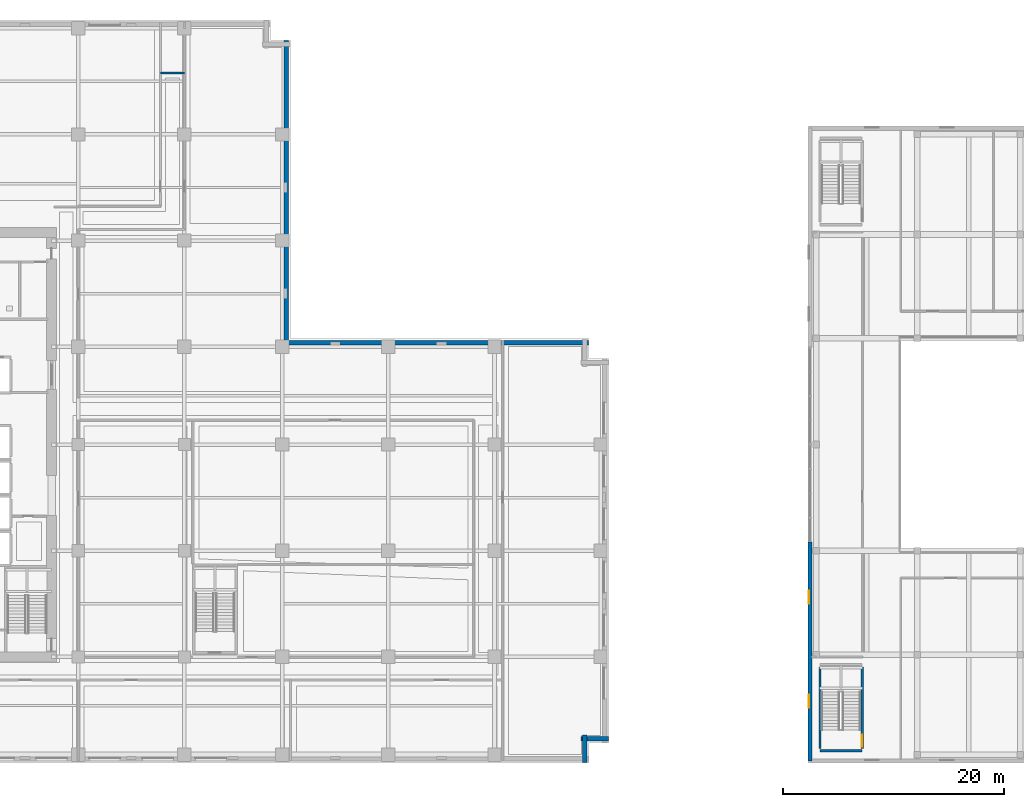
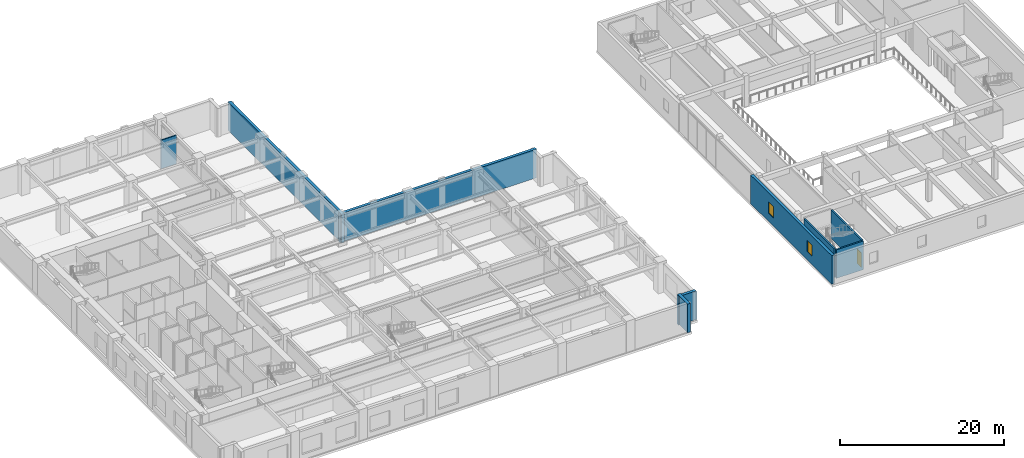
# One storey, part 8 of 24: 9 walls, 2 windows, 1 door, 3 openings.
"""IFC4 building model written with IfcOpenShell, lengths in metres."""

from ifc_helpers import new_model, si_unit, direction, frame, frame_2d, origin, place, context, subcontext, project, spatial, rectangle, extrude, material, layer, layer_set, type_object, element, fill, save


model = new_model("IFC4")

# Units and contexts
model_context = context("Model", 3, precision=1e-05, world=origin(), true_north=direction((0.0, 1.0)))
body_context = subcontext(model_context, "Body", "Model", "MODEL_VIEW")
ifc_project = project(units=[si_unit("LENGTHUNIT", "METRE"), si_unit("AREAUNIT", "SQUARE_METRE"), si_unit("VOLUMEUNIT", "CUBIC_METRE"), si_unit("PLANEANGLEUNIT", "RADIAN"), si_unit("MASSUNIT", "GRAM", prefix="KILO")], contexts=[model_context])

# Site, building, storey
site_placement = place(None, origin())
site = spatial("IfcSite", under=ifc_project, at=site_placement, CompositionType="ELEMENT")
building_placement = place(site_placement, origin())
building = spatial("IfcBuilding", under=site, at=building_placement, Name="Norrvale University Quadrangle", CompositionType="ELEMENT")
storey_placement = place(building_placement, frame((0.0, 0.0, 15.0)))
storey = spatial("IfcBuildingStorey", under=building, at=storey_placement, Name="L03", CompositionType="ELEMENT", Elevation=15.0)

# Wall
ifc_material_1 = material(Name="Fire-Rated Gypsum Stud Partition")
ifc_layer_1 = layer(ifc_material_1, 0.14990234375, Name="Fire-Rated Gypsum Stud Partition")
ifc_layer_set_1 = layer_set([ifc_layer_1], Name="Fire-Rated Gypsum Stud Partition")
wall_type_1 = type_object("IfcWallType", Name="Wall Gypsum Corridor 150", PredefinedType="PARTITIONING", material=ifc_layer_set_1)
wall_1_placement = place(storey_placement, frame((26.64990234375, 62.39990234375, 0.0), z_axis=(0.0, 0.0, 1.0), x_axis=(1.0, 0.0, 0.0)))
element("IfcWall", 1, at=wall_1_placement, inside=storey, type_object=wall_type_1, Name="Interior Partition WL-L03-JOGEND", PredefinedType="PARTITIONING", context=body_context, shape_type="SweptSolid", body=[
    extrude(rectangle(XDim=2.150146484375, YDim=0.14990234375, at=frame_2d((1.0751953125, 0.0))), origin(), (0.0, 0.0, 1.0), 4.260009765625),
])

# Wall, openings, windows
ifc_material_2 = material(Name="Buff Norman Clay Brick Masonry", Category="masonry")
ifc_layer_2 = layer(ifc_material_2, 0.3798828125, Name="Buff Norman Clay Brick Masonry")
ifc_layer_set_2 = layer_set([ifc_layer_2], Name="Buff Norman Clay Brick Masonry")
wall_type_2 = type_object("IfcWallType", Name="Wall Lib Brick 380", PredefinedType="SOLIDWALL", material=ifc_layer_set_2)
wall_2_placement = place(storey_placement, frame((85.389892578125, 0.18994140625, 0.0), z_axis=(0.0, 0.0, 1.0), x_axis=(0.0, 1.0, 0.0)))
wall_2 = element("IfcWall", 2, at=wall_2_placement, inside=storey, type_object=wall_type_2, Name="Library West Brick Wall South L03", PredefinedType="SOLIDWALL", context=body_context, shape_type="SweptSolid", body=[
    extrude(rectangle(XDim=19.81005859375, YDim=0.3798828125, at=frame_2d((9.905029296875, 0.0))), origin(), (0.0, 0.0, 1.0), 4.25),
])
opening_1_placement = place(wall_2_placement, frame((4.800048828125, 0.0, 1.25)))
opening_1 = element("IfcOpeningElement", 3, at=opening_1_placement, cuts=wall_2, Name="Opening W07", PredefinedType="OPENING", context=body_context, shape_type="SweptSolid", body=[
    extrude(rectangle(XDim=1.199951171875, YDim=1.64990234375, at=frame_2d((0.60009765625, 0.824951171875))), frame((0.0, 0.201904296875, 0.0), z_axis=(0.0, -1.0, 0.0), x_axis=(1.0, 0.0, 0.0)), (0.0, 0.0, 1.0), 0.40380859375),
])
opening_2_placement = place(wall_2_placement, frame((14.199951171875, 0.0, 1.25)))
opening_2 = element("IfcOpeningElement", 4, at=opening_2_placement, cuts=wall_2, Name="Opening W07", PredefinedType="OPENING", context=body_context, shape_type="SweptSolid", body=[
    extrude(rectangle(XDim=1.199951171875, YDim=1.64990234375, at=frame_2d((0.60009765625, 0.824951171875))), frame((0.0, 0.201904296875, 0.0), z_axis=(0.0, -1.0, 0.0), x_axis=(1.0, 0.0, 0.0)), (0.0, 0.0, 1.0), 0.40380859375),
])
ifc_material_3 = material(Name="UV-Filtered Triple Glazing", Category="glass")
window_type = type_object("IfcWindowType", Name="Window Library Stack 1200x1800", PartitioningType="SINGLE_PANEL", PredefinedType="WINDOW", material=ifc_material_3)
window_1_placement = place(opening_1_placement, origin())
window_1 = element("IfcWindow", 5, at=window_1_placement, inside=storey, type_object=window_type, Name="Window Library Stack 1200x1800 WIN-L03-LW1-1", OverallHeight=1.64990234375, OverallWidth=1.199951171875, PartitioningType="SINGLE_PANEL", PredefinedType="WINDOW", context=body_context, shape_type="SweptSolid", body=[
    extrude(rectangle(XDim=1.199951171875, YDim=1.64990234375, at=frame_2d((0.60009765625, 0.824951171875))), frame((0.0, 0.110107421875, 0.0), z_axis=(0.0, -1.0, 0.0), x_axis=(1.0, 0.0, 0.0)), (0.0, 0.0, 1.0), 0.06005859375),
])
fill(opening_1, window_1)
window_2_placement = place(opening_2_placement, origin())
window_2 = element("IfcWindow", 6, at=window_2_placement, inside=storey, type_object=window_type, Name="Window Library Stack 1200x1800 WIN-L03-LW1-2", OverallHeight=1.64990234375, OverallWidth=1.199951171875, PartitioningType="SINGLE_PANEL", PredefinedType="WINDOW", context=body_context, shape_type="SweptSolid", body=[
    extrude(rectangle(XDim=1.199951171875, YDim=1.64990234375, at=frame_2d((0.60009765625, 0.824951171875))), frame((0.0, 0.110107421875, 0.0), z_axis=(0.0, -1.0, 0.0), x_axis=(1.0, 0.0, 0.0)), (0.0, 0.0, 1.0), 0.06005859375),
])
fill(opening_2, window_2)

# Walls
ifc_material_4 = material(Name="Red Manganese Brick Masonry", Category="masonry")
ifc_layer_3 = layer(ifc_material_4, 0.39990234375, Name="Red Manganese Brick Masonry")
ifc_layer_set_3 = layer_set([ifc_layer_3], Name="Red Manganese Brick Masonry")
wall_type_3 = type_object("IfcWallType", Name="Wall Red Brick 400", PredefinedType="SOLIDWALL", material=ifc_layer_set_3)
for number, where, z_axis, x_axis, name in (
    (7, (65.02001953125, 0.0400390625, 0.0), (0.0, 0.0, 1.0), (0.0, 1.0, 0.0), "Exterior Brick Facade Wall L03-02.1"),
    (8, (64.679931640625, 2.179931640625, 0.0), (0.0, 0.0, 1.0), (1.0, 0.0, 0.0), "Exterior Brick Facade Wall L03-03.1"),
):
    element("IfcWall", number, at=place(storey_placement, frame(where, z_axis=z_axis, x_axis=x_axis)), inside=storey, type_object=wall_type_3, Name=name, PredefinedType="SOLIDWALL", context=body_context, shape_type="SweptSolid", body=[
        extrude(rectangle(XDim=2.47998046875, YDim=0.39990234375, at=frame_2d((1.239990234375, 0.0))), origin(), (0.0, 0.0, 1.0), 4.260009765625),
    ])
for number, where, z_axis, x_axis, name in (
    (9, (65.360107421875, 38.02001953125, 0.0), (0.0, 0.0, 1.0), (-1.0, 0.0, 0.0), "Exterior Brick Facade Wall L03-07.1"),
    (10, (38.02001953125, 37.679931640625, 0.0), (0.0, 0.0, 1.0), (0.0, 1.0, 0.0), "Exterior Brick Facade Wall L03-08.1"),
):
    element("IfcWall", number, at=place(storey_placement, frame(where, z_axis=z_axis, x_axis=x_axis)), inside=storey, type_object=wall_type_3, Name=name, PredefinedType="SOLIDWALL", context=body_context, shape_type="SweptSolid", body=[
        extrude(rectangle(XDim=27.68017578125, YDim=0.39990234375, at=frame_2d((13.840087890625, 0.0))), origin(), (0.0, 0.0, 1.0), 4.260009765625),
    ])
ifc_material_5 = material(Name="Concrete Blockwork 20 MPa Fire Shaft", Category="masonry")
ifc_layer_4 = layer(ifc_material_5, 0.219970703125, Name="Concrete Blockwork 20 MPa Fire Shaft")
ifc_layer_set_4 = layer_set([ifc_layer_4], Name="Concrete Blockwork 20 MPa Fire Shaft")
wall_type_4 = type_object("IfcWallType", Name="Wall Shaft 220", PredefinedType="SOLIDWALL", material=ifc_layer_set_4)
wall_3_placement = place(storey_placement, frame((86.2900390625, 1.31005859375, 0.0), z_axis=(0.0, 0.0, 1.0), x_axis=(0.0, 1.0, 0.0)))
element("IfcWall", 11, at=wall_3_placement, inside=storey, type_object=wall_type_4, Name="Library Stair ST-L2 West Wall L03", PredefinedType="SOLIDWALL", context=body_context, shape_type="SweptSolid", body=[
    extrude(rectangle(XDim=7.3798828125, YDim=0.219970703125, at=frame_2d((3.68994140625, 0.0))), origin(), (0.0, 0.0, 1.0), 4.25),
])
wall_4_placement = place(storey_placement, frame((86.2900390625, 1.090087890625, 0.0), z_axis=(0.0, 0.0, 1.0), x_axis=(1.0, 0.0, 0.0)))
element("IfcWall", 12, at=wall_4_placement, inside=storey, type_object=wall_type_4, Name="Library Stair ST-L2 South Wall L03", PredefinedType="SOLIDWALL", context=body_context, shape_type="SweptSolid", body=[
    extrude(rectangle(XDim=3.820068359375, YDim=0.219970703125, at=frame_2d((1.91015625, 0.0))), origin(), (0.0, 0.0, 1.0), 4.25),
])

# Wall, opening, door
wall_5_placement = place(storey_placement, frame((90.110107421875, 1.31005859375, 0.0), z_axis=(0.0, 0.0, 1.0), x_axis=(0.0, 1.0, 0.0)))
wall_5 = element("IfcWall", 13, at=wall_5_placement, inside=storey, type_object=wall_type_4, Name="Library Stair ST-L2 East Wall L03", PredefinedType="SOLIDWALL", context=body_context, shape_type="SweptSolid", body=[
    extrude(rectangle(XDim=7.3798828125, YDim=0.219970703125, at=frame_2d((3.68994140625, 0.0))), origin(), (0.0, 0.0, 1.0), 4.25),
])
opening_3_placement = place(wall_5_placement, frame((0.139892578125, 0.0, 0.0)))
opening_3 = element("IfcOpeningElement", 14, at=opening_3_placement, cuts=wall_5, Name="Opening D02", PredefinedType="OPENING", context=body_context, shape_type="SweptSolid", body=[
    extrude(rectangle(XDim=1.10009765625, YDim=2.199951171875, at=frame_2d((0.550048828125, 1.10009765625))), frame((0.0, 0.1220703125, 0.0), z_axis=(0.0, -1.0, 0.0), x_axis=(1.0, 0.0, 0.0)), (0.0, 0.0, 1.0), 0.243896484375),
])
ifc_material_6 = material(Name="Hollow Steel 350W Fire Door", Category="steel")
door_type = type_object("IfcDoorType", Name="Door Stair Exit 1100x2200", OperationType="NOTDEFINED", PredefinedType="DOOR", material=ifc_material_6)
door_placement = place(opening_3_placement, origin())
door = element("IfcDoor", 15, at=door_placement, inside=storey, type_object=door_type, Name="Door Stair Exit 1100x2200 DR-L03-ST-L2", OperationType="SINGLE_SWING_RIGHT", OverallHeight=2.199951171875, OverallWidth=1.10009765625, PredefinedType="DOOR", context=body_context, shape_type="SweptSolid", body=[
    extrude(rectangle(XDim=1.10009765625, YDim=2.199951171875, at=frame_2d((0.550048828125, 1.10009765625))), frame((0.0, 0.02490234375, 0.0), z_axis=(0.0, -1.0, 0.0), x_axis=(1.0, 0.0, 0.0)), (0.0, 0.0, 1.0), 0.050048828125),
])
fill(opening_3, door)

save(model, "model.ifc")
